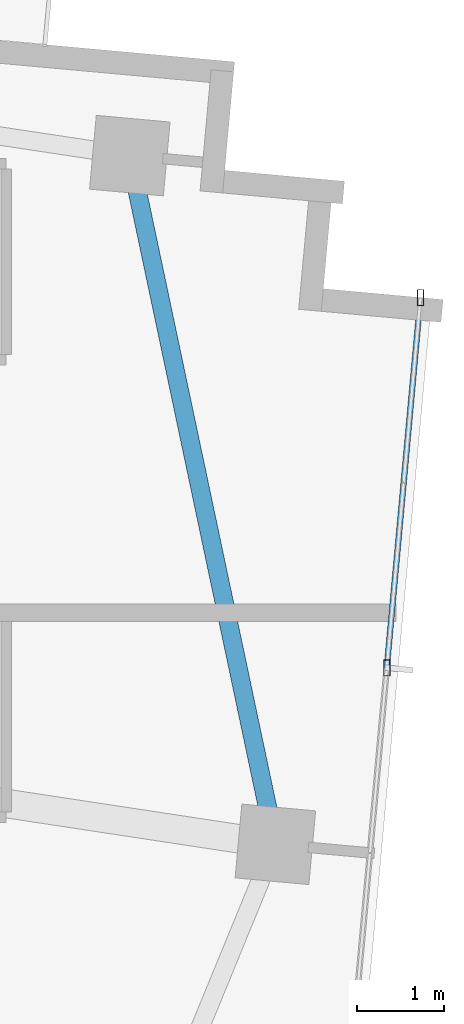
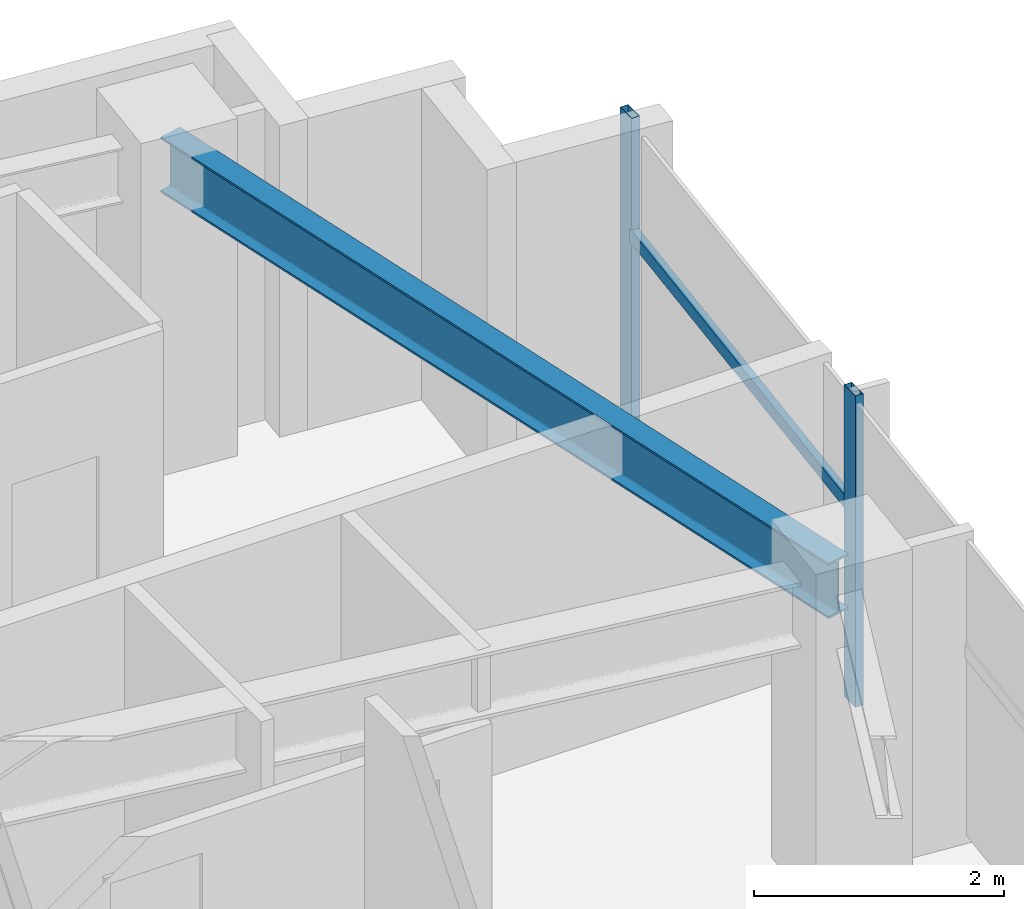
# One storey, part 14 of 22: 3 members, 1 beam, 1 element without a shape of its own.
"""IFC4 building model written with IfcOpenShell, lengths in metres."""

from ifc_helpers import new_model, si_unit, direction, frame, origin, origin_2d, place, context, subcontext, project, spatial, hollow_rectangle, i_section, extrude, source, transform, mapped, material, material_profile, profile_set, type_object, type_shapes, element, aggregate, save


model = new_model("IFC4")

# Units and contexts
model_context = context("Model", 3, precision=1e-05, world=origin(), true_north=direction((0.0, 1.0)))
body_context = subcontext(model_context, "Body", "Model", "MODEL_VIEW")
ifc_project = project(units=[si_unit("LENGTHUNIT", "METRE"), si_unit("AREAUNIT", "SQUARE_METRE"), si_unit("VOLUMEUNIT", "CUBIC_METRE"), si_unit("PLANEANGLEUNIT", "RADIAN"), si_unit("MASSUNIT", "GRAM", prefix="KILO")], contexts=[model_context])

# Site, building, storey
site_placement = place(None, origin())
site = spatial("IfcSite", under=ifc_project, at=site_placement, CompositionType="ELEMENT")
building_placement = place(site_placement, origin())
building = spatial("IfcBuilding", under=site, at=building_placement, Name="Astriad Promenade Condominiums", CompositionType="ELEMENT")
storey_placement = place(building_placement, frame((0.0, 0.0, 249.60009765625)))
storey = spatial("IfcBuildingStorey", under=building, at=storey_placement, Name="L72", CompositionType="ELEMENT", Elevation=249.60009765625)

# Beam
ifc_material_1 = material(Name="Steel ASTM A992 Grade 50", Category="steel")
ifc_material_profile_1 = material_profile(ifc_material_1, i_section(OverallWidth=0.210693359375, OverallDepth=0.53955078125, WebThickness=0.01171875, FlangeThickness=0.018798828125, FilletRadius=0.0166015625, at=origin_2d()), Name="W21X73")
ifc_profile_set_1 = profile_set([ifc_material_profile_1], Name="Steel ASTM A992 Grade 50")
beam_type = type_object("IfcBeamType", Name="STEEL SPANDREL BEAM W21X73", PredefinedType="SPANDREL", material=ifc_profile_set_1)
shared_shape_1 = source(origin(), body_context, "Body", "SweptSolid", [
    extrude(i_section(OverallWidth=0.210693359375, OverallDepth=0.53955078125, WebThickness=0.01171875, FlangeThickness=0.018798828125, FilletRadius=0.0166015625, at=origin_2d()), origin(), (0.0, 0.0, 1.0), 7.99853515625),
])
type_shapes(beam_type, [shared_shape_1])
beam_placement = place(storey_placement, frame((54.88037109375, 16.02880859375, 2.77001953125), z_axis=(-0.20676418926, 0.978390806396, 0.0), x_axis=(-0.978390806396, -0.20676418926, 0.0)))
element("IfcBeam", 1, at=beam_placement, inside=storey, type_object=beam_type, Name="Perimeter Spandrel Beam SP-E2-L72", PredefinedType="SPANDREL", context=body_context, shape_type="MappedRepresentation", body=[
    mapped(shared_shape_1, transform((0.0, 0.0, 0.0), scale=1.0)),
])

# Curtain wall, members
ifc_material_2 = material(Name="Anodised aluminium Black Dark Glass Unitised", Category="aluminium")
curtain_wall_type = type_object("IfcCurtainWallType", Name="CW-B5-DARK", PredefinedType="USERDEFINED", material=ifc_material_2)
curtain_wall_placement = place(storey_placement, origin())
curtain_wall = element("IfcCurtainWall", 2, at=curtain_wall_placement, inside=storey, type_object=curtain_wall_type, Name="CW-L72-E", ObjectType="UNITISED_CURTAIN_WALL", PredefinedType="USERDEFINED")
ifc_material_3 = material(Name="Anodised aluminium 6063-T6 Black", Category="aluminium")
ifc_material_profile_2 = material_profile(ifc_material_3, hollow_rectangle(XDim=0.074951171875, YDim=0.18505859375, WallThickness=0.00439453125, at=origin_2d()), Name="ALU-MUL-75X185")
ifc_profile_set_2 = profile_set([ifc_material_profile_2], Name="Anodised aluminium 6063-T6 Black")
member_type_1 = type_object("IfcMemberType", Name="MUL-ALU-MUL-75X185", PredefinedType="MULLION", material=ifc_profile_set_2)
shared_shape_2 = source(origin(), body_context, "Body", "SweptSolid", [
    extrude(hollow_rectangle(XDim=0.074951171875, YDim=0.18505859375, WallThickness=0.00439453125, at=origin_2d()), origin(), (0.0, 0.0, 1.0), 3.039794921875),
])
type_shapes(member_type_1, [shared_shape_2])
member_1_placement = place(storey_placement, frame((56.55419921875, 22.2646484375, 0.0), z_axis=(0.0, 0.0, 1.0), x_axis=(1.0, 0.0, 0.0)))
member_1 = element("IfcMember", 3, at=member_1_placement, type_object=member_type_1, Name="CW-L72-E-MUL-00", PredefinedType="MULLION", context=body_context, shape_type="MappedRepresentation", body=[
    mapped(shared_shape_2, transform((0.0, 0.0, 0.0), scale=1.0)),
])
member_2_placement = place(storey_placement, frame((56.16748046875, 18.015625, 0.0), z_axis=(0.0, 0.0, 1.0), x_axis=(1.0, 0.0, 0.0)))
member_2 = element("IfcMember", 4, at=member_2_placement, type_object=member_type_1, Name="CW-L72-E-MUL-01", PredefinedType="MULLION", context=body_context, shape_type="MappedRepresentation", body=[
    mapped(shared_shape_2, transform((0.0, 0.0, 0.0), scale=1.0)),
])
ifc_material_profile_3 = material_profile(ifc_material_3, hollow_rectangle(XDim=0.06494140625, YDim=0.1298828125, WallThickness=0.00390625, at=origin_2d()), Name="ALU-TRN-65X130")
ifc_profile_set_3 = profile_set([ifc_material_profile_3], Name="Anodised aluminium 6063-T6 Black")
member_type_2 = type_object("IfcMemberType", Name="TRN-ALU-TRN-65X130", PredefinedType="USERDEFINED", material=ifc_profile_set_3)
shared_shape_3 = source(origin(), body_context, "Body", "SweptSolid", [
    extrude(hollow_rectangle(XDim=0.06494140625, YDim=0.1298828125, WallThickness=0.00390625, at=origin_2d()), origin(), (0.0, 0.0, 1.0), 4.2666015625),
])
type_shapes(member_type_2, [shared_shape_3])
member_3_placement = place(storey_placement, frame((56.55419921875, 22.2646484375, 1.884765625), z_axis=(-0.090638931954, -0.99588382054, 0.0), x_axis=(0.99588382054, -0.090638931954, 0.0)))
member_3 = element("IfcMember", 5, at=member_3_placement, type_object=member_type_2, Name="CW-L72-E-TRN-00-0", ObjectType="TRANSOM", PredefinedType="USERDEFINED", context=body_context, shape_type="MappedRepresentation", body=[
    mapped(shared_shape_3, transform((0.0, 0.0, 0.0), scale=1.0)),
])
aggregate(curtain_wall, [member_1, member_2, member_3])

save(model, "model.ifc")
